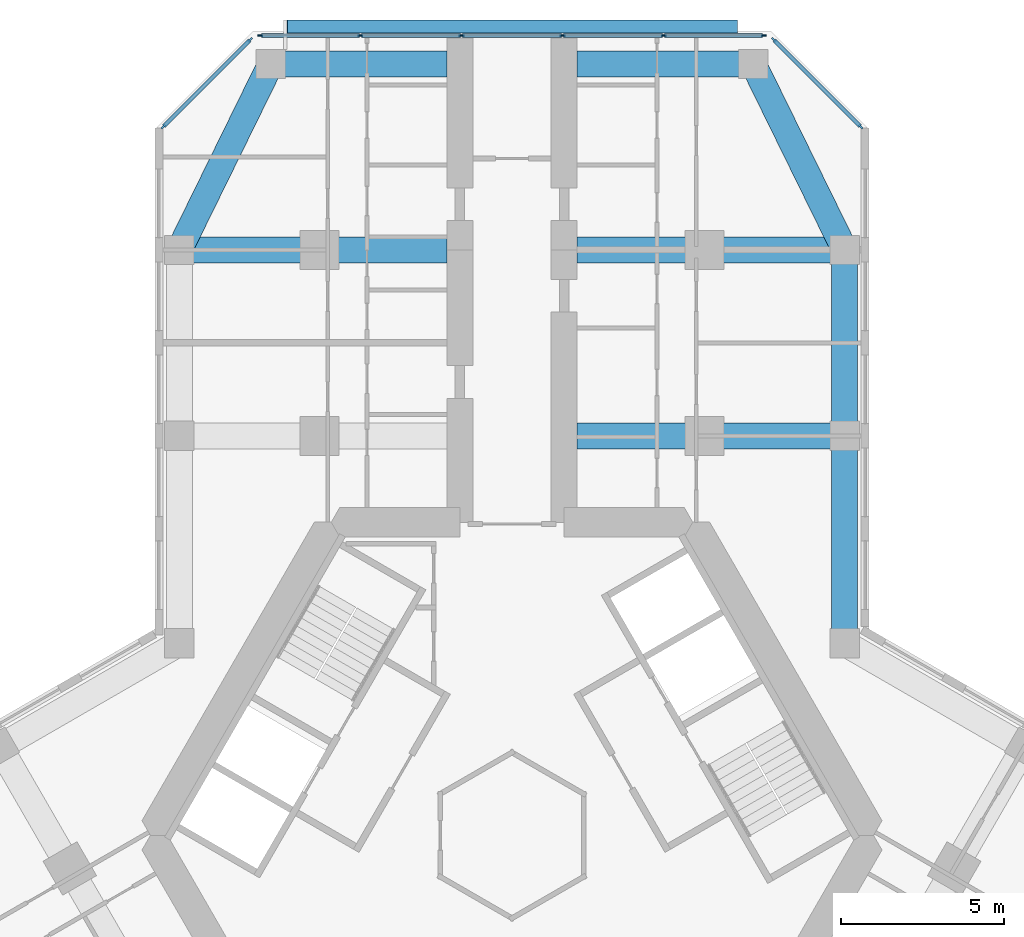
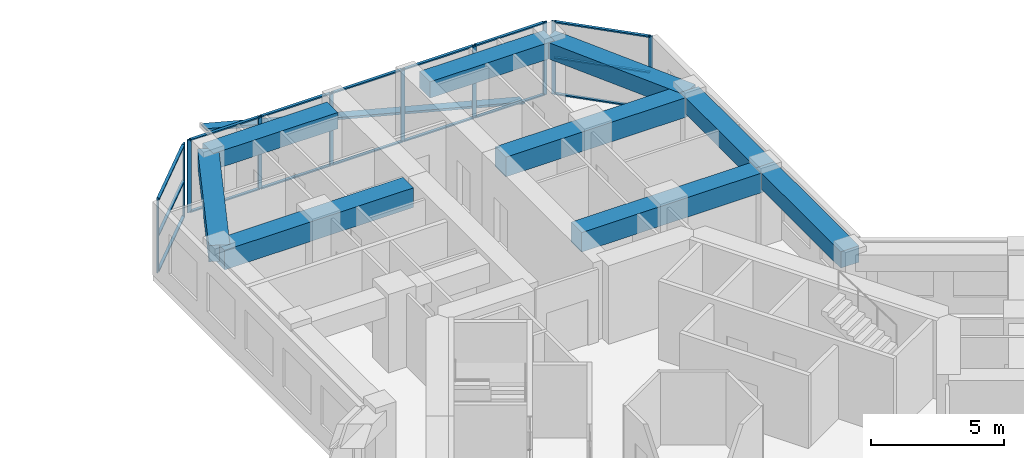
# One storey, part 7 of 19: 27 members, 9 beams, 3 elements without a shape of their own.
"""IFC4 building model written with IfcOpenShell, lengths in metres."""

from ifc_helpers import new_model, si_unit, direction, frame, origin, origin_2d, place, context, subcontext, project, spatial, rectangle, extrude, material, material_profile, profile_set, type_object, element, aggregate, save


model = new_model("IFC4")

# Units and contexts
model_context = context("Model", 3, precision=1e-05, world=origin(), true_north=direction((0.0, 1.0)))
body_context = subcontext(model_context, "Body", "Model", "MODEL_VIEW")
ifc_project = project(units=[si_unit("LENGTHUNIT", "METRE"), si_unit("AREAUNIT", "SQUARE_METRE"), si_unit("VOLUMEUNIT", "CUBIC_METRE"), si_unit("PLANEANGLEUNIT", "RADIAN"), si_unit("MASSUNIT", "GRAM", prefix="KILO")], contexts=[model_context])

# Site, building, storey
site_placement = place(None, origin())
site = spatial("IfcSite", under=ifc_project, at=site_placement, CompositionType="ELEMENT")
building_placement = place(site_placement, origin())
building = spatial("IfcBuilding", under=site, at=building_placement, Name="Kosmar Iwan School Tower", CompositionType="ELEMENT")
storey_placement = place(building_placement, frame((0.0, 0.0, 161.60009765625)))
storey = spatial("IfcBuildingStorey", under=building, at=storey_placement, Name="L40", CompositionType="ELEMENT", Elevation=161.60009765625)

# Member
ifc_material_1 = material(Name="Black anodised aluminium", Category="aluminium")
ifc_material_profile_1 = material_profile(ifc_material_1, rectangle(XDim=0.10009765625, YDim=0.39990234375, at=origin_2d()), Name="FIN 100x400")
ifc_profile_set_1 = profile_set([ifc_material_profile_1], Name="Black anodised aluminium")
member_type_1 = type_object("IfcMemberType", Name="Diagonal fin 100x400", PredefinedType="USERDEFINED", material=ifc_profile_set_1)
member_1_placement = place(storey_placement, frame((6.898193359375, 24.800048828125, -0.150146484375), z_axis=(-0.967599450335, 0.0, 0.252490205179), x_axis=(0.252490205179, 0.0, 0.967599450335)))
element("IfcMember", 1, at=member_1_placement, inside=storey, type_object=member_type_1, Name="Diagonal fin L40-F08", ObjectType="FIN", PredefinedType="USERDEFINED", context=body_context, shape_type="SweptSolid", body=[
    extrude(rectangle(XDim=0.10009765625, YDim=0.39990234375, at=origin_2d()), origin(), (0.0, 0.0, 1.0), 14.25830078125),
])

# Curtain wall, members
ifc_material_2 = material(Name="Dark glass in black aluminium frame", Category="aluminium")
curtain_wall_type_1 = type_object("IfcCurtainWallType", Name="Chamfer curtain wall dark glass", PredefinedType="USERDEFINED", material=ifc_material_2)
curtain_wall_1_placement = place(storey_placement, origin())
curtain_wall_1 = element("IfcCurtainWall", 2, at=curtain_wall_1_placement, inside=storey, type_object=curtain_wall_type_1, Name="Curtain wall L40-F07", ObjectType="FACETED CURTAIN WALL", PredefinedType="USERDEFINED")
ifc_material_3 = material(Name="Black anodised aluminium", Category="aluminium")
ifc_material_profile_2 = material_profile(ifc_material_3, rectangle(XDim=0.06005859375, YDim=0.159912109375, at=origin_2d()), Name="MULLION 60x160")
ifc_profile_set_2 = profile_set([ifc_material_profile_2], Name="Black anodised aluminium")
member_type_2 = type_object("IfcMemberType", Name="Mullion 60x160", PredefinedType="MULLION", material=ifc_profile_set_2)
member_2_placement = place(storey_placement, frame((10.69775390625, 21.7255859375, 0.0), z_axis=(0.0, 0.0, 1.0), x_axis=(-0.707106781187, -0.707106781187, 0.0)))
member_2 = element("IfcMember", 3, at=member_2_placement, type_object=member_type_2, Name="CW2 mullion 1", PredefinedType="MULLION", context=body_context, shape_type="SweptSolid", body=[
    extrude(rectangle(XDim=0.06005859375, YDim=0.159912109375, at=origin_2d()), origin(), (0.0, 0.0, 1.0), 3.349853515625),
])
member_3_placement = place(storey_placement, frame((8.025390625, 24.397705078125, 0.0), z_axis=(0.0, 0.0, 1.0), x_axis=(-0.707106781187, -0.707106781187, 0.0)))
member_3 = element("IfcMember", 4, at=member_3_placement, type_object=member_type_2, Name="CW2 mullion 2", PredefinedType="MULLION", context=body_context, shape_type="SweptSolid", body=[
    extrude(rectangle(XDim=0.06005859375, YDim=0.159912109375, at=origin_2d()), origin(), (0.0, 0.0, 1.0), 3.349853515625),
])

ifc_material_4 = material(Name="Dark glass in black aluminium frame", Category="aluminium")
curtain_wall_type_2 = type_object("IfcCurtainWallType", Name="Tower curtain wall dark glass", PredefinedType="USERDEFINED", material=ifc_material_4)
curtain_wall_2_placement = place(storey_placement, origin())
curtain_wall_2 = element("IfcCurtainWall", 5, at=curtain_wall_2_placement, inside=storey, type_object=curtain_wall_type_2, Name="Curtain wall L40-F08", ObjectType="UNITISED CURTAIN WALL", PredefinedType="USERDEFINED")
member_4_placement = place(storey_placement, frame((7.71826171875, 24.52490234375, 0.0), z_axis=(0.0, 0.0, 1.0), x_axis=(0.0, -1.0, 0.0)))
member_4 = element("IfcMember", 6, at=member_4_placement, type_object=member_type_2, Name="CW1 mullion 1", PredefinedType="MULLION", context=body_context, shape_type="SweptSolid", body=[
    extrude(rectangle(XDim=0.06005859375, YDim=0.159912109375, at=origin_2d()), origin(), (0.0, 0.0, 1.0), 3.349853515625),
])
member_5_placement = place(storey_placement, frame((4.64892578125, 24.52490234375, 0.0), z_axis=(0.0, 0.0, 1.0), x_axis=(0.0, -1.0, 0.0)))
member_5 = element("IfcMember", 7, at=member_5_placement, type_object=member_type_2, Name="CW1 mullion 2", PredefinedType="MULLION", context=body_context, shape_type="SweptSolid", body=[
    extrude(rectangle(XDim=0.06005859375, YDim=0.159912109375, at=origin_2d()), origin(), (0.0, 0.0, 1.0), 3.349853515625),
])
member_6_placement = place(storey_placement, frame((1.549560546875, 24.52490234375, 0.0), z_axis=(0.0, 0.0, 1.0), x_axis=(0.0, -1.0, 0.0)))
member_6 = element("IfcMember", 8, at=member_6_placement, type_object=member_type_2, Name="CW1 mullion 3", PredefinedType="MULLION", context=body_context, shape_type="SweptSolid", body=[
    extrude(rectangle(XDim=0.06005859375, YDim=0.159912109375, at=origin_2d()), origin(), (0.0, 0.0, 1.0), 3.349853515625),
])
member_7_placement = place(storey_placement, frame((-1.549560546875, 24.52490234375, 0.0), z_axis=(0.0, 0.0, 1.0), x_axis=(0.0, -1.0, 0.0)))
member_7 = element("IfcMember", 9, at=member_7_placement, type_object=member_type_2, Name="CW1 mullion 4", PredefinedType="MULLION", context=body_context, shape_type="SweptSolid", body=[
    extrude(rectangle(XDim=0.06005859375, YDim=0.159912109375, at=origin_2d()), origin(), (0.0, 0.0, 1.0), 3.349853515625),
])
member_8_placement = place(storey_placement, frame((-4.64892578125, 24.52490234375, 0.0), z_axis=(0.0, 0.0, 1.0), x_axis=(0.0, -1.0, 0.0)))
member_8 = element("IfcMember", 10, at=member_8_placement, type_object=member_type_2, Name="CW1 mullion 5", PredefinedType="MULLION", context=body_context, shape_type="SweptSolid", body=[
    extrude(rectangle(XDim=0.06005859375, YDim=0.159912109375, at=origin_2d()), origin(), (0.0, 0.0, 1.0), 3.349853515625),
])
member_9_placement = place(storey_placement, frame((-7.71826171875, 24.52490234375, 0.0), z_axis=(0.0, 0.0, 1.0), x_axis=(0.0, -1.0, 0.0)))
member_9 = element("IfcMember", 11, at=member_9_placement, type_object=member_type_2, Name="CW1 mullion 6", PredefinedType="MULLION", context=body_context, shape_type="SweptSolid", body=[
    extrude(rectangle(XDim=0.06005859375, YDim=0.159912109375, at=origin_2d()), origin(), (0.0, 0.0, 1.0), 3.349853515625),
])

curtain_wall_3_placement = place(storey_placement, origin())
curtain_wall_3 = element("IfcCurtainWall", 12, at=curtain_wall_3_placement, inside=storey, type_object=curtain_wall_type_1, Name="Curtain wall L40-F09", ObjectType="FACETED CURTAIN WALL", PredefinedType="USERDEFINED")
member_10_placement = place(storey_placement, frame((-8.025390625, 24.397705078125, 0.0), z_axis=(0.0, 0.0, 1.0), x_axis=(0.707106781187, -0.707106781187, 0.0)))
member_10 = element("IfcMember", 13, at=member_10_placement, type_object=member_type_2, Name="CW2 mullion 1", PredefinedType="MULLION", context=body_context, shape_type="SweptSolid", body=[
    extrude(rectangle(XDim=0.06005859375, YDim=0.159912109375, at=origin_2d()), origin(), (0.0, 0.0, 1.0), 3.349853515625),
])
member_11_placement = place(storey_placement, frame((-10.69775390625, 21.7255859375, 0.0), z_axis=(0.0, 0.0, 1.0), x_axis=(0.707106781187, -0.707106781187, 0.0)))
member_11 = element("IfcMember", 14, at=member_11_placement, type_object=member_type_2, Name="CW2 mullion 2", PredefinedType="MULLION", context=body_context, shape_type="SweptSolid", body=[
    extrude(rectangle(XDim=0.06005859375, YDim=0.159912109375, at=origin_2d()), origin(), (0.0, 0.0, 1.0), 3.349853515625),
])

# Beams
ifc_material_5 = material(Name="Concrete C50/60", Category="concrete")
ifc_material_profile_3 = material_profile(ifc_material_5, rectangle(XDim=0.800048828125, YDim=0.75, at=origin_2d()), Name="RC 800x750")
ifc_profile_set_3 = profile_set([ifc_material_profile_3], Name="Concrete C50/60")
beam_type_1 = type_object("IfcBeamType", Name="RC edge beam 800x750", PredefinedType="BEAM", material=ifc_profile_set_3)
beam_1_placement = place(storey_placement, frame((10.199951171875, 5.888916015625, 2.974853515625), z_axis=(0.0, 1.0, 0.0), x_axis=(-1.0, 0.0, 0.0)))
element("IfcBeam", 15, at=beam_1_placement, inside=storey, type_object=beam_type_1, Name="Edge beam AR1", PredefinedType="BEAM", context=body_context, shape_type="SweptSolid", body=[
    extrude(rectangle(XDim=0.800048828125, YDim=0.75, at=origin_2d()), origin(), (0.0, 0.0, 1.0), 6.361083984375),
])
beam_2_placement = place(storey_placement, frame((10.199951171875, 12.25, 2.974853515625), z_axis=(0.0, 1.0, 0.0), x_axis=(-1.0, 0.0, 0.0)))
element("IfcBeam", 16, at=beam_2_placement, inside=storey, type_object=beam_type_1, Name="Edge beam AR2", PredefinedType="BEAM", context=body_context, shape_type="SweptSolid", body=[
    extrude(rectangle(XDim=0.800048828125, YDim=0.75, at=origin_2d()), origin(), (0.0, 0.0, 1.0), 5.699951171875),
])
ifc_material_6 = material(Name="Concrete C50/60", Category="concrete")
ifc_material_profile_4 = material_profile(ifc_material_6, rectangle(XDim=0.800048828125, YDim=0.75, at=origin_2d()), Name="RC 800x750")
ifc_profile_set_4 = profile_set([ifc_material_profile_4], Name="Concrete C50/60")
beam_type_2 = type_object("IfcBeamType", Name="RC tip beam 800x750", PredefinedType="BEAM", material=ifc_profile_set_4)
beam_3_placement = place(storey_placement, frame((-10.199951171875, 17.949951171875, 2.974853515625), z_axis=(0.440913116462, 0.897549788999, 0.0), x_axis=(-0.897549788999, 0.440913116462, 0.0)))
element("IfcBeam", 17, at=beam_3_placement, inside=storey, type_object=beam_type_2, Name="Tip beam AL", PredefinedType="BEAM", context=body_context, shape_type="SweptSolid", body=[
    extrude(rectangle(XDim=0.800048828125, YDim=0.75, at=origin_2d()), origin(), (0.0, 0.0, 1.0), 6.3505859375),
])
beam_4_placement = place(storey_placement, frame((-7.39990234375, 23.64990234375, 2.974853515625), z_axis=(1.0, 0.0, 0.0), x_axis=(0.0, 1.0, 0.0)))
element("IfcBeam", 18, at=beam_4_placement, inside=storey, type_object=beam_type_2, Name="Tip beam AL to corridor wall", PredefinedType="BEAM", context=body_context, shape_type="SweptSolid", body=[
    extrude(rectangle(XDim=0.800048828125, YDim=0.75, at=origin_2d()), origin(), (0.0, 0.0, 1.0), 5.39990234375),
])
beam_5_placement = place(storey_placement, frame((10.199951171875, 17.949951171875, 2.974853515625), z_axis=(-0.440913116462, 0.897549788999, 0.0), x_axis=(-0.897549788999, -0.440913116462, 0.0)))
element("IfcBeam", 19, at=beam_5_placement, inside=storey, type_object=beam_type_2, Name="Tip beam AR", PredefinedType="BEAM", context=body_context, shape_type="SweptSolid", body=[
    extrude(rectangle(XDim=0.800048828125, YDim=0.75, at=origin_2d()), origin(), (0.0, 0.0, 1.0), 6.3505859375),
])
beam_6_placement = place(storey_placement, frame((7.39990234375, 23.64990234375, 2.974853515625), z_axis=(-1.0, 0.0, 0.0), x_axis=(0.0, -1.0, 0.0)))
element("IfcBeam", 20, at=beam_6_placement, inside=storey, type_object=beam_type_2, Name="Tip beam AR to corridor wall", PredefinedType="BEAM", context=body_context, shape_type="SweptSolid", body=[
    extrude(rectangle(XDim=0.800048828125, YDim=0.75, at=origin_2d()), origin(), (0.0, 0.0, 1.0), 5.39990234375),
])
ifc_material_7 = material(Name="Concrete C50/60", Category="concrete")
ifc_material_profile_5 = material_profile(ifc_material_7, rectangle(XDim=0.800048828125, YDim=0.89990234375, at=origin_2d()), Name="RC 800x900")
ifc_profile_set_5 = profile_set([ifc_material_profile_5], Name="Concrete C50/60")
beam_type_3 = type_object("IfcBeamType", Name="RC transverse beam 800x900", PredefinedType="BEAM", material=ifc_profile_set_5)
for number, where, z_axis, x_axis, name in (
    (21, (-10.199951171875, 17.949951171875, 2.89990234375), (1.0, 0.0, 0.0), (0.0, 1.0, 0.0), "Transverse beam AL2"),
    (22, (10.199951171875, 12.25, 2.89990234375), (-1.0, 0.0, 0.0), (0.0, -1.0, 0.0), "Transverse beam AR1"),
    (23, (10.199951171875, 17.949951171875, 2.89990234375), (-1.0, 0.0, 0.0), (0.0, -1.0, 0.0), "Transverse beam AR2"),
):
    element("IfcBeam", number, at=place(storey_placement, frame(where, z_axis=z_axis, x_axis=x_axis)), inside=storey, type_object=beam_type_3, Name=name, PredefinedType="BEAM", context=body_context, shape_type="SweptSolid", body=[
        extrude(rectangle(XDim=0.800048828125, YDim=0.89990234375, at=origin_2d()), origin(), (0.0, 0.0, 1.0), 8.199951171875),
    ])

# Member
ifc_material_8 = material(Name="Black anodised aluminium", Category="aluminium")
ifc_material_profile_6 = material_profile(ifc_material_8, rectangle(XDim=0.1201171875, YDim=0.06005859375, at=origin_2d()), Name="TRANSOM 60x120")
ifc_profile_set_6 = profile_set([ifc_material_profile_6], Name="Black anodised aluminium")
member_type_3 = type_object("IfcMemberType", Name="Transom 60x120", PredefinedType="USERDEFINED", material=ifc_profile_set_6)
member_12_placement = place(storey_placement, frame((10.676513671875, 21.746826171875, 0.02978515625), z_axis=(-0.707139603466, 0.707073957383, 0.0), x_axis=(-0.707073957383, -0.707139603466, 0.0)))
member_12 = element("IfcMember", 24, at=member_12_placement, type_object=member_type_3, Name="CW2 transom 1.1", ObjectType="TRANSOM", PredefinedType="USERDEFINED", context=body_context, shape_type="SweptSolid", body=[
    extrude(rectangle(XDim=0.1201171875, YDim=0.06005859375, at=origin_2d()), origin(), (0.0, 0.0, 1.0), 3.718994140625),
])

member_13_placement = place(storey_placement, frame((10.676513671875, 21.746826171875, 1.6748046875), z_axis=(-0.707139603466, 0.707073957383, 0.0), x_axis=(-0.707073957383, -0.707139603466, 0.0)))
member_13 = element("IfcMember", 25, at=member_13_placement, type_object=member_type_3, Name="CW2 transom 1.2", ObjectType="TRANSOM", PredefinedType="USERDEFINED", context=body_context, shape_type="SweptSolid", body=[
    extrude(rectangle(XDim=0.1201171875, YDim=0.06005859375, at=origin_2d()), origin(), (0.0, 0.0, 1.0), 3.718994140625),
])

member_14_placement = place(storey_placement, frame((10.676513671875, 21.746826171875, 3.31982421875), z_axis=(-0.707139603466, 0.707073957383, 0.0), x_axis=(-0.707073957383, -0.707139603466, 0.0)))
member_14 = element("IfcMember", 26, at=member_14_placement, type_object=member_type_3, Name="CW2 transom 1.3", ObjectType="TRANSOM", PredefinedType="USERDEFINED", context=body_context, shape_type="SweptSolid", body=[
    extrude(rectangle(XDim=0.1201171875, YDim=0.06005859375, at=origin_2d()), origin(), (0.0, 0.0, 1.0), 3.718994140625),
])

aggregate(curtain_wall_1, [member_2, member_3, member_12, member_13, member_14])

member_15_placement = place(storey_placement, frame((7.688232421875, 24.52490234375, 0.02978515625), z_axis=(-1.0, 0.0, 0.0), x_axis=(0.0, -1.0, 0.0)))
member_15 = element("IfcMember", 27, at=member_15_placement, type_object=member_type_3, Name="CW1 transom 1.1", ObjectType="TRANSOM", PredefinedType="USERDEFINED", context=body_context, shape_type="SweptSolid", body=[
    extrude(rectangle(XDim=0.1201171875, YDim=0.06005859375, at=origin_2d()), origin(), (0.0, 0.0, 1.0), 3.00927734375),
])

member_16_placement = place(storey_placement, frame((7.688232421875, 24.52490234375, 3.31982421875), z_axis=(-1.0, 0.0, 0.0), x_axis=(0.0, -1.0, 0.0)))
member_16 = element("IfcMember", 28, at=member_16_placement, type_object=member_type_3, Name="CW1 transom 1.2", ObjectType="TRANSOM", PredefinedType="USERDEFINED", context=body_context, shape_type="SweptSolid", body=[
    extrude(rectangle(XDim=0.1201171875, YDim=0.06005859375, at=origin_2d()), origin(), (0.0, 0.0, 1.0), 3.00927734375),
])

member_17_placement = place(storey_placement, frame((4.618896484375, 24.52490234375, 0.02978515625), z_axis=(-1.0, 0.0, 0.0), x_axis=(0.0, -1.0, 0.0)))
member_17 = element("IfcMember", 29, at=member_17_placement, type_object=member_type_3, Name="CW1 transom 2.1", ObjectType="TRANSOM", PredefinedType="USERDEFINED", context=body_context, shape_type="SweptSolid", body=[
    extrude(rectangle(XDim=0.1201171875, YDim=0.06005859375, at=origin_2d()), origin(), (0.0, 0.0, 1.0), 3.039306640625),
])

member_18_placement = place(storey_placement, frame((4.618896484375, 24.52490234375, 3.31982421875), z_axis=(-1.0, 0.0, 0.0), x_axis=(0.0, -1.0, 0.0)))
member_18 = element("IfcMember", 30, at=member_18_placement, type_object=member_type_3, Name="CW1 transom 2.2", ObjectType="TRANSOM", PredefinedType="USERDEFINED", context=body_context, shape_type="SweptSolid", body=[
    extrude(rectangle(XDim=0.1201171875, YDim=0.06005859375, at=origin_2d()), origin(), (0.0, 0.0, 1.0), 3.039306640625),
])

member_19_placement = place(storey_placement, frame((1.51953125, 24.52490234375, 0.02978515625), z_axis=(-1.0, 0.0, 0.0), x_axis=(0.0, -1.0, 0.0)))
member_19 = element("IfcMember", 31, at=member_19_placement, type_object=member_type_3, Name="CW1 transom 3.1", ObjectType="TRANSOM", PredefinedType="USERDEFINED", context=body_context, shape_type="SweptSolid", body=[
    extrude(rectangle(XDim=0.1201171875, YDim=0.06005859375, at=origin_2d()), origin(), (0.0, 0.0, 1.0), 3.0390625),
])

member_20_placement = place(storey_placement, frame((1.51953125, 24.52490234375, 3.31982421875), z_axis=(-1.0, 0.0, 0.0), x_axis=(0.0, -1.0, 0.0)))
member_20 = element("IfcMember", 32, at=member_20_placement, type_object=member_type_3, Name="CW1 transom 3.2", ObjectType="TRANSOM", PredefinedType="USERDEFINED", context=body_context, shape_type="SweptSolid", body=[
    extrude(rectangle(XDim=0.1201171875, YDim=0.06005859375, at=origin_2d()), origin(), (0.0, 0.0, 1.0), 3.0390625),
])

member_21_placement = place(storey_placement, frame((-1.57958984375, 24.52490234375, 0.02978515625), z_axis=(-1.0, 0.0, 0.0), x_axis=(0.0, -1.0, 0.0)))
member_21 = element("IfcMember", 33, at=member_21_placement, type_object=member_type_3, Name="CW1 transom 4.1", ObjectType="TRANSOM", PredefinedType="USERDEFINED", context=body_context, shape_type="SweptSolid", body=[
    extrude(rectangle(XDim=0.1201171875, YDim=0.06005859375, at=origin_2d()), origin(), (0.0, 0.0, 1.0), 3.039306640625),
])

member_22_placement = place(storey_placement, frame((-1.57958984375, 24.52490234375, 3.31982421875), z_axis=(-1.0, 0.0, 0.0), x_axis=(0.0, -1.0, 0.0)))
member_22 = element("IfcMember", 34, at=member_22_placement, type_object=member_type_3, Name="CW1 transom 4.2", ObjectType="TRANSOM", PredefinedType="USERDEFINED", context=body_context, shape_type="SweptSolid", body=[
    extrude(rectangle(XDim=0.1201171875, YDim=0.06005859375, at=origin_2d()), origin(), (0.0, 0.0, 1.0), 3.039306640625),
])

member_23_placement = place(storey_placement, frame((-4.678955078125, 24.52490234375, 0.02978515625), z_axis=(-1.0, 0.0, 0.0), x_axis=(0.0, -1.0, 0.0)))
member_23 = element("IfcMember", 35, at=member_23_placement, type_object=member_type_3, Name="CW1 transom 5.1", ObjectType="TRANSOM", PredefinedType="USERDEFINED", context=body_context, shape_type="SweptSolid", body=[
    extrude(rectangle(XDim=0.1201171875, YDim=0.06005859375, at=origin_2d()), origin(), (0.0, 0.0, 1.0), 3.00927734375),
])

member_24_placement = place(storey_placement, frame((-4.678955078125, 24.52490234375, 3.31982421875), z_axis=(-1.0, 0.0, 0.0), x_axis=(0.0, -1.0, 0.0)))
member_24 = element("IfcMember", 36, at=member_24_placement, type_object=member_type_3, Name="CW1 transom 5.2", ObjectType="TRANSOM", PredefinedType="USERDEFINED", context=body_context, shape_type="SweptSolid", body=[
    extrude(rectangle(XDim=0.1201171875, YDim=0.06005859375, at=origin_2d()), origin(), (0.0, 0.0, 1.0), 3.00927734375),
])

aggregate(curtain_wall_2, [member_4, member_5, member_6, member_7, member_8, member_9, member_15, member_16, member_17, member_18, member_19, member_20, member_21, member_22, member_23, member_24])

member_25_placement = place(storey_placement, frame((-8.046630859375, 24.37646484375, 0.02978515625), z_axis=(-0.707139603466, -0.707073957383, 0.0), x_axis=(0.707073957383, -0.707139603466, 0.0)))
member_25 = element("IfcMember", 37, at=member_25_placement, type_object=member_type_3, Name="CW2 transom 1.1", ObjectType="TRANSOM", PredefinedType="USERDEFINED", context=body_context, shape_type="SweptSolid", body=[
    extrude(rectangle(XDim=0.1201171875, YDim=0.06005859375, at=origin_2d()), origin(), (0.0, 0.0, 1.0), 3.718994140625),
])

member_26_placement = place(storey_placement, frame((-8.046630859375, 24.37646484375, 1.6748046875), z_axis=(-0.707139603466, -0.707073957383, 0.0), x_axis=(0.707073957383, -0.707139603466, 0.0)))
member_26 = element("IfcMember", 38, at=member_26_placement, type_object=member_type_3, Name="CW2 transom 1.2", ObjectType="TRANSOM", PredefinedType="USERDEFINED", context=body_context, shape_type="SweptSolid", body=[
    extrude(rectangle(XDim=0.1201171875, YDim=0.06005859375, at=origin_2d()), origin(), (0.0, 0.0, 1.0), 3.718994140625),
])

member_27_placement = place(storey_placement, frame((-8.046630859375, 24.37646484375, 3.31982421875), z_axis=(-0.707139603466, -0.707073957383, 0.0), x_axis=(0.707073957383, -0.707139603466, 0.0)))
member_27 = element("IfcMember", 39, at=member_27_placement, type_object=member_type_3, Name="CW2 transom 1.3", ObjectType="TRANSOM", PredefinedType="USERDEFINED", context=body_context, shape_type="SweptSolid", body=[
    extrude(rectangle(XDim=0.1201171875, YDim=0.06005859375, at=origin_2d()), origin(), (0.0, 0.0, 1.0), 3.718994140625),
])

aggregate(curtain_wall_3, [member_10, member_11, member_25, member_26, member_27])

save(model, "model.ifc")
